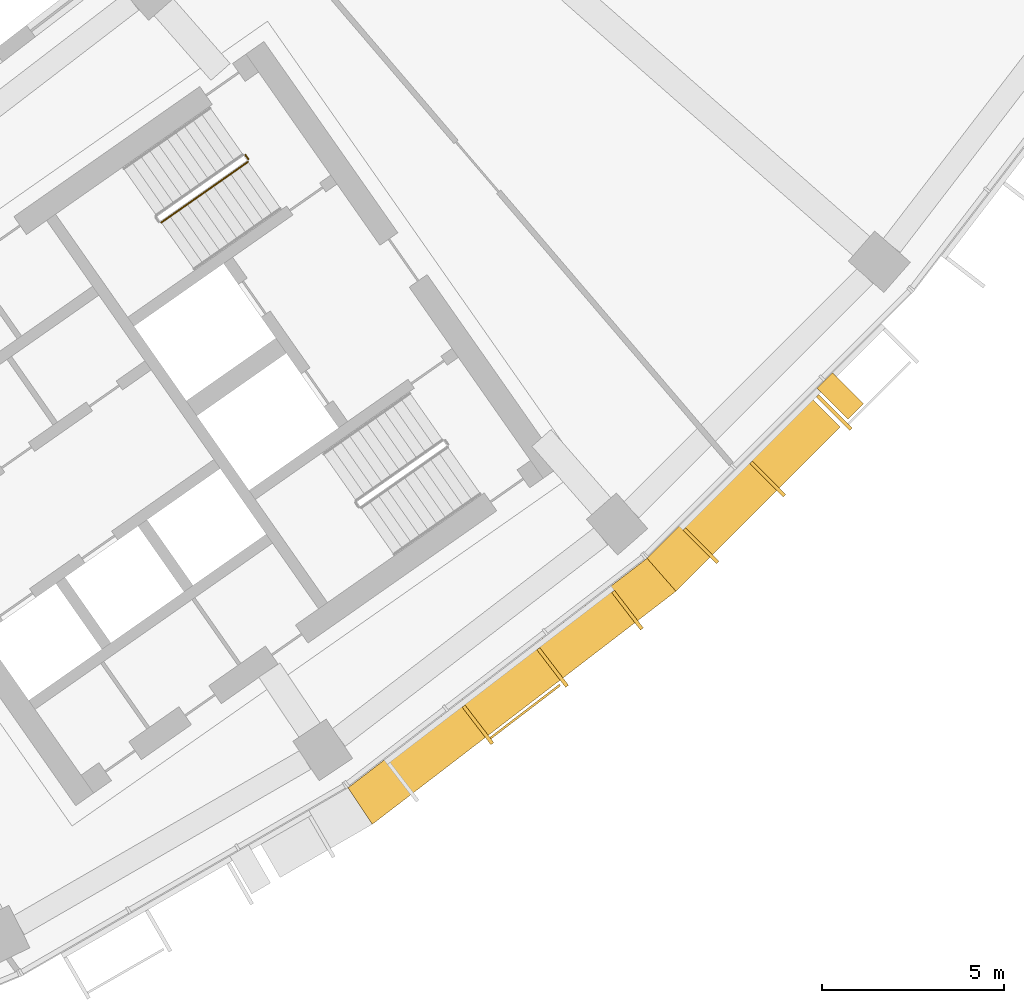
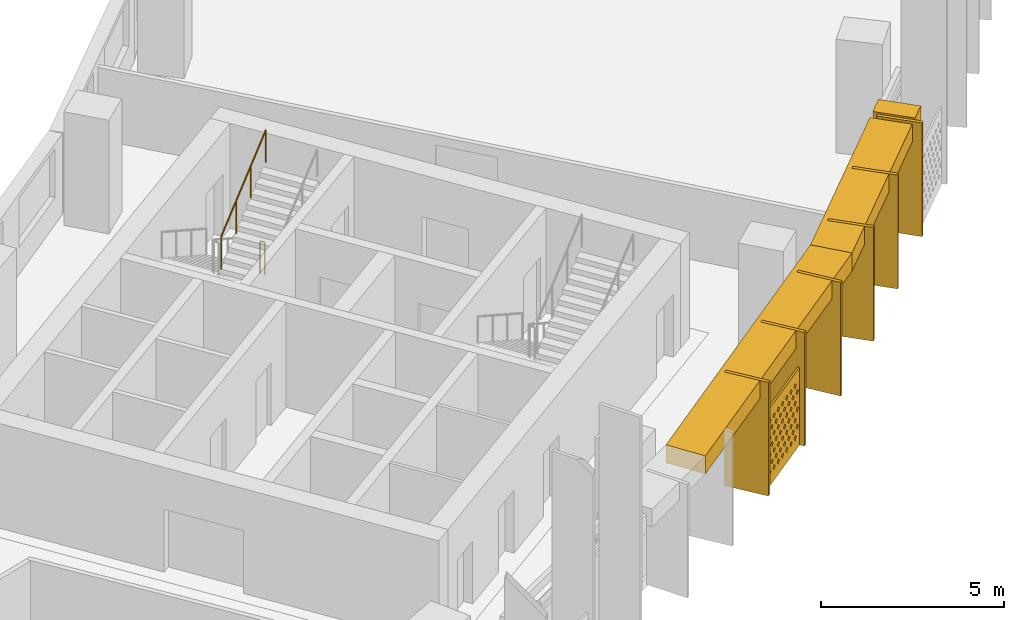
# One storey, part 26 of 27: 10 shading devices, 2 railings.
"""IFC4 building model written with IfcOpenShell, lengths in metres."""

import ifcopenshell
import ifcopenshell.guid

model = None  # the IFC model being written
_history = None  # IfcOwnerHistory: only IFC2X3 demands one
_inside = {}  # id of a spatial element -> (the spatial element, [elements in it])
_under = {}  # id of a project, library or spatial element -> (it, [spatial elements below it])
_declared = {}  # id of a project -> (the project, [libraries it declares])
_typed = {}  # id of a type object -> (the type object, [elements of that type])
_made_of = {}  # id of a material, layer set ... -> (it, [elements and type objects made of it])


def new_model(schema):
    """Start an empty IFC model of exactly this schema.

    Asked for "IFC4X3", IfcOpenShell would pick the latest addendum, in which some entities
    have other attributes; the version numbers below select the first issue.
    IFC2X3 requires an IfcOwnerHistory on every rooted entity: one is made here for all.
    """
    global model, _history
    if schema == "IFC4X3":
        model = ifcopenshell.file(schema_version=(4, 3, 0, 0))
    else:
        model = ifcopenshell.file(schema=schema)
    _inside.clear()
    _under.clear()
    _declared.clear()
    _typed.clear()
    _made_of.clear()
    _history = None
    if model.schema == "IFC2X3":
        org = make("IfcOrganization", Name="unknown")
        user = make(
            "IfcPersonAndOrganization",
            ThePerson=make("IfcPerson", FamilyName="unknown"),
            TheOrganization=org,
        )
        app = make(
            "IfcApplication",
            ApplicationDeveloper=org,
            Version="unknown",
            ApplicationFullName="unknown",
            ApplicationIdentifier="unknown",
        )
        _history = make(
            "IfcOwnerHistory",
            OwningUser=user,
            OwningApplication=app,
            ChangeAction="ADDED",
            CreationDate=0,
        )
    return model


def make(cls, **values):
    """One entity of the class cls with the attributes given. An attribute that is None is left unset."""
    return model.create_entity(
        cls, **{name: value for name, value in values.items() if value is not None}
    )


def rooted(cls, **values):
    """An entity with a GlobalId (a new one), such as an element, a storey or a relation."""
    return make(cls, GlobalId=ifcopenshell.guid.new(), OwnerHistory=_history, **values)


def si_unit(unit_type, name, prefix=None):
    """IfcSIUnit, for example si_unit("LENGTHUNIT", "METRE", prefix="MILLI")."""
    return make("IfcSIUnit", UnitType=unit_type, Prefix=prefix, Name=name)


def assignment(units):
    """IfcUnitAssignment: the units of a project."""
    return None if units is None else make("IfcUnitAssignment", Units=units)


def point(xyz):
    """IfcCartesianPoint."""
    return None if xyz is None else make("IfcCartesianPoint", Coordinates=xyz)


def direction(xyz):
    """IfcDirection."""
    return None if xyz is None else make("IfcDirection", DirectionRatios=xyz)


def frame(location, z_axis=None, x_axis=None):
    """IfcAxis2Placement3D, a coordinate frame: its origin and axes. An axis left out is left unset."""
    return make(
        "IfcAxis2Placement3D",
        Location=point(location),
        Axis=direction(z_axis),
        RefDirection=direction(x_axis),
    )


def frame_2d(location, x_axis=None):
    """IfcAxis2Placement2D, a coordinate frame in the plane: its origin and x axis."""
    return make(
        "IfcAxis2Placement2D", Location=point(location), RefDirection=direction(x_axis)
    )


def origin():
    """The frame at (0, 0, 0) with its axes left unset."""
    return frame((0.0, 0.0, 0.0))


def origin_2d():
    """The frame at (0, 0) in the plane with its x axis left unset."""
    return frame_2d((0.0, 0.0))


def place(relative_to, where):
    """IfcLocalPlacement: puts the frame where relative to a parent placement (None: the world)."""
    return make(
        "IfcLocalPlacement", PlacementRelTo=relative_to, RelativePlacement=where
    )


def context(
    kind, dimensions, precision=None, world=None, true_north=None, identifier=None
):
    """IfcGeometricRepresentationContext, for example the 3D "Model" context."""
    return make(
        "IfcGeometricRepresentationContext",
        ContextIdentifier=identifier,
        ContextType=kind,
        CoordinateSpaceDimension=dimensions,
        Precision=precision,
        WorldCoordinateSystem=world,
        TrueNorth=true_north,
    )


def subcontext(parent, identifier, kind, view, scale=None):
    """IfcGeometricRepresentationSubContext, for example "Body" below "Model"."""
    return make(
        "IfcGeometricRepresentationSubContext",
        ContextIdentifier=identifier,
        ContextType=kind,
        ParentContext=parent,
        TargetScale=scale,
        TargetView=view,
    )


def project(units=None, contexts=None):
    """IfcProject with its units and contexts."""
    return rooted(
        "IfcProject",
        Name="project",
        RepresentationContexts=contexts,
        UnitsInContext=assignment(units),
    )


def spatial(cls, under=None, at=None, **own):
    """A site, building, storey or space (cls), placed at a placement, below another one or the project."""
    s = rooted(cls, ObjectPlacement=at, **own)
    if under is not None:
        _under.setdefault(under.id(), (under, []))[1].append(s)
    return s


def polyline(points):
    """IfcPolyline through the points."""
    return make("IfcPolyline", Points=[point(p) for p in points])


def profile(cls, at=None, kind="AREA", **sizes):
    """A parametric profile (cls). Its sizes go by their IFC names, for example OverallWidth=200.0."""
    return make(cls, ProfileType=kind, Position=at, **sizes)


def rectangle(**sizes):
    """IfcRectangleProfileDef."""
    return profile("IfcRectangleProfileDef", **sizes)


def circle(**sizes):
    """IfcCircleProfileDef."""
    return profile("IfcCircleProfileDef", **sizes)


def outline(outer, holes=None, kind="AREA"):
    """IfcArbitraryClosedProfileDef: a profile drawn as a closed curve; with holes, ...WithVoids."""
    if holes is None:
        return make("IfcArbitraryClosedProfileDef", ProfileType=kind, OuterCurve=outer)
    return make(
        "IfcArbitraryProfileDefWithVoids",
        ProfileType=kind,
        OuterCurve=outer,
        InnerCurves=holes,
    )


def extrude(swept, where, along, depth):
    """IfcExtrudedAreaSolid: the profile swept, set in the frame where, extruded along a direction by depth."""
    return make(
        "IfcExtrudedAreaSolid",
        SweptArea=swept,
        Position=where,
        ExtrudedDirection=direction(along),
        Depth=depth,
    )


def shape(context_of_items, identifier, shape_type, items):
    """IfcShapeRepresentation: the items that make up one representation, for example the "Body"."""
    return make(
        "IfcShapeRepresentation",
        ContextOfItems=context_of_items,
        RepresentationIdentifier=identifier,
        RepresentationType=shape_type,
        Items=items,
    )


def material(Name=None, Category=None):
    """IfcMaterial."""
    return make("IfcMaterial", Name=Name, Category=Category)


def material_profile(
    of_material, cross_section, Name=None, Category=None, Priority=None
):
    """IfcMaterialProfile: a cross section and its material."""
    return make(
        "IfcMaterialProfile",
        Name=Name,
        Material=of_material,
        Profile=cross_section,
        Priority=Priority,
        Category=Category,
    )


def profile_set(profiles, Name=None, composite=None):
    """IfcMaterialProfileSet."""
    return make(
        "IfcMaterialProfileSet",
        Name=Name,
        MaterialProfiles=profiles,
        CompositeProfile=composite,
    )


def made_of(thing, what):
    """Note that an element or type object is made of a material, layer set ...; save() writes the relation."""
    if what is not None:
        _made_of.setdefault(what.id(), (what, []))[1].append(thing)
    return thing


def type_object(cls, material=None, **own):
    """A type object (cls), such as IfcWallType, which elements share."""
    return made_of(rooted(cls, **own), material)


def element(
    cls,
    number,
    at=None,
    inside=None,
    cuts=None,
    type_object=None,
    material=None,
    context=None,
    identifier="Body",
    shape_type=None,
    held_by="IfcProductDefinitionShape",
    body=None,
    shapes=None,
    **own,
):
    """One element of the class cls, such as IfcWall. Its Tag is "e" and its number.

    at: its placement. inside: the storey or other place that contains it. cuts: it is an
    opening in that element (IfcRelVoidsElement). A single representation is given by context,
    identifier, shape_type and body (its items); several are given by shapes. held_by: the class
    of the entity that holds the representations. save() writes the other relations.
    """
    e = rooted(cls, Tag="e%d" % number, ObjectPlacement=at, **own)
    if body is not None:
        shapes = [shape(context, identifier, shape_type, body)]
    if shapes is not None:
        e.Representation = make(held_by, Representations=shapes)
    if inside is not None:
        _inside.setdefault(inside.id(), (inside, []))[1].append(e)
    if cuts is not None:
        rooted(
            "IfcRelVoidsElement", RelatingBuildingElement=cuts, RelatedOpeningElement=e
        )
    if type_object is not None:
        _typed.setdefault(type_object.id(), (type_object, []))[1].append(e)
    return made_of(e, material)


def aggregate(whole, parts):
    """IfcRelAggregates: a whole, such as a stair, and the parts it consists of."""
    return rooted("IfcRelAggregates", RelatingObject=whole, RelatedObjects=parts)


def save(model, path):
    """Write the relations noted so far, then the file.

    IfcRelAggregates (storeys below a building ...), IfcRelContainedInSpatialStructure (elements
    in a storey), IfcRelDefinesByType, IfcRelAssociatesMaterial and IfcRelDeclares: one each for
    every whole, place, type object, material and project.
    """
    for whole, parts in _under.values():
        aggregate(whole, parts)
    for where, things in _inside.values():
        rooted(
            "IfcRelContainedInSpatialStructure",
            RelatedElements=things,
            RelatingStructure=where,
        )
    for kind, things in _typed.values():
        rooted("IfcRelDefinesByType", RelatedObjects=things, RelatingType=kind)
    for what, things in _made_of.values():
        rooted("IfcRelAssociatesMaterial", RelatedObjects=things, RelatingMaterial=what)
    for by, libraries in _declared.values():
        rooted("IfcRelDeclares", RelatingContext=by, RelatedDefinitions=libraries)
    model.write(path)


model = new_model("IFC4")

# Units and contexts
model_context = context("Model", 3, precision=1e-05, world=origin(), true_north=direction((0.0, 1.0)))
body_context = subcontext(model_context, "Body", "Model", "MODEL_VIEW")
ifc_project = project(units=[si_unit("LENGTHUNIT", "METRE"), si_unit("AREAUNIT", "SQUARE_METRE"), si_unit("VOLUMEUNIT", "CUBIC_METRE"), si_unit("PLANEANGLEUNIT", "RADIAN"), si_unit("MASSUNIT", "GRAM", prefix="KILO")], contexts=[model_context])

# Site, building, storey
site_placement = place(None, origin())
site = spatial("IfcSite", under=ifc_project, at=site_placement, CompositionType="ELEMENT")
building_placement = place(site_placement, origin())
building = spatial("IfcBuilding", under=site, at=building_placement, Name="Qamariyya Broadcast Tower", CompositionType="ELEMENT")
storey_placement = place(building_placement, frame((0.0, 0.0, 172.10009765625)))
storey = spatial("IfcBuildingStorey", under=building, at=storey_placement, Name="L40", CompositionType="ELEMENT", Elevation=172.10009765625)

# Shading devices
ifc_material_1 = material(Name="Steel S355 powder coated deep red", Category="steel")
shading_device_type_1 = type_object("IfcShadingDeviceType", Name="Deep red frame, powder coated steel box section", PredefinedType="USERDEFINED", material=ifc_material_1)
shading_device_1_placement = place(storey_placement, frame((0.0, 0.0, 3.199951171875)))
element("IfcShadingDevice", 1, at=shading_device_1_placement, inside=storey, type_object=shading_device_type_1, Name="e-frm-B3-F5-postb-L40", ObjectType="FRAME", PredefinedType="USERDEFINED", context=body_context, shape_type="SweptSolid", body=[
    extrude(outline(polyline([(56.74755859375, -54.736083984375), (57.595947265625, -55.584716796875), (58.020263671875, -55.160400390625), (57.171875, -54.311767578125), (56.74755859375, -54.736083984375)])), origin(), (0.0, 0.0, 1.0), 0.599853515625),
])
shading_device_2_placement = place(storey_placement, frame((0.0, 0.0, 3.199951171875)))
element("IfcShadingDevice", 2, at=shading_device_2_placement, inside=storey, type_object=shading_device_type_1, Name="e-frm-B3-F5-bot1", ObjectType="FRAME", PredefinedType="USERDEFINED", context=body_context, shape_type="SweptSolid", body=[
    extrude(outline(polyline([(43.89013671875, -65.68603515625), (44.55810546875, -66.68603515625), (52.88134765625, -60.299560546875), (52.08837890625, -59.395263671875), (43.89013671875, -65.68603515625)])), origin(), (0.0, 0.0, 1.0), 0.599853515625),
])
shading_device_3_placement = place(storey_placement, frame((0.0, 0.0, 3.199951171875)))
element("IfcShadingDevice", 3, at=shading_device_3_placement, inside=storey, type_object=shading_device_type_1, Name="e-frm-B3-F5-bot2", ObjectType="FRAME", PredefinedType="USERDEFINED", context=body_context, shape_type="SweptSolid", body=[
    extrude(outline(polyline([(52.08837890625, -59.395263671875), (52.88134765625, -60.299560546875), (57.384033203125, -55.796875), (56.535400390625, -54.9482421875), (52.08837890625, -59.395263671875)])), origin(), (0.0, 0.0, 1.0), 0.599853515625),
])
ifc_material_2 = material(Name="Perforated glazed terracotta", Category="masonry")
ifc_material_profile_1 = material_profile(ifc_material_2, outline(polyline([(-1.199951171875, -1.300048828125), (1.199951171875, -1.300048828125), (1.199951171875, 1.300048828125), (-1.199951171875, 1.300048828125), (-1.199951171875, -1.300048828125)]), holes=[polyline([(-0.81494140625, -0.86669921875), (-0.89990234375, -0.78173828125), (-0.985107421875, -0.86669921875), (-0.89990234375, -0.95166015625), (-0.81494140625, -0.86669921875)]), polyline([(-0.514892578125, -0.86669921875), (-0.60009765625, -0.78173828125), (-0.68505859375, -0.86669921875), (-0.60009765625, -0.95166015625), (-0.514892578125, -0.86669921875)]), polyline([(-0.215087890625, -0.86669921875), (-0.300048828125, -0.78173828125), (-0.385009765625, -0.86669921875), (-0.300048828125, -0.95166015625), (-0.215087890625, -0.86669921875)]), polyline([(0.0849609375, -0.86669921875), (0.0, -0.78173828125), (-0.0849609375, -0.86669921875), (0.0, -0.95166015625), (0.0849609375, -0.86669921875)]), polyline([(0.385009765625, -0.86669921875), (0.300048828125, -0.78173828125), (0.215087890625, -0.86669921875), (0.300048828125, -0.95166015625), (0.385009765625, -0.86669921875)]), polyline([(0.68505859375, -0.86669921875), (0.60009765625, -0.78173828125), (0.514892578125, -0.86669921875), (0.60009765625, -0.95166015625), (0.68505859375, -0.86669921875)]), polyline([(0.985107421875, -0.86669921875), (0.89990234375, -0.78173828125), (0.81494140625, -0.86669921875), (0.89990234375, -0.95166015625), (0.985107421875, -0.86669921875)]), polyline([(-0.965087890625, -0.577880859375), (-1.050048828125, -0.49267578125), (-1.135009765625, -0.577880859375), (-1.050048828125, -0.662841796875), (-0.965087890625, -0.577880859375)]), polyline([(-0.6650390625, -0.577880859375), (-0.75, -0.49267578125), (-0.8349609375, -0.577880859375), (-0.75, -0.662841796875), (-0.6650390625, -0.577880859375)]), polyline([(-0.364990234375, -0.577880859375), (-0.449951171875, -0.49267578125), (-0.534912109375, -0.577880859375), (-0.449951171875, -0.662841796875), (-0.364990234375, -0.577880859375)]), polyline([(-0.06494140625, -0.577880859375), (-0.14990234375, -0.49267578125), (-0.235107421875, -0.577880859375), (-0.14990234375, -0.662841796875), (-0.06494140625, -0.577880859375)]), polyline([(0.235107421875, -0.577880859375), (0.14990234375, -0.49267578125), (0.06494140625, -0.577880859375), (0.14990234375, -0.662841796875), (0.235107421875, -0.577880859375)]), polyline([(0.534912109375, -0.577880859375), (0.449951171875, -0.49267578125), (0.364990234375, -0.577880859375), (0.449951171875, -0.662841796875), (0.534912109375, -0.577880859375)]), polyline([(0.8349609375, -0.577880859375), (0.75, -0.49267578125), (0.6650390625, -0.577880859375), (0.75, -0.662841796875), (0.8349609375, -0.577880859375)]), polyline([(1.135009765625, -0.577880859375), (1.050048828125, -0.49267578125), (0.965087890625, -0.577880859375), (1.050048828125, -0.662841796875), (1.135009765625, -0.577880859375)]), polyline([(-0.81494140625, -0.288818359375), (-0.89990234375, -0.203857421875), (-0.985107421875, -0.288818359375), (-0.89990234375, -0.373779296875), (-0.81494140625, -0.288818359375)]), polyline([(-0.514892578125, -0.288818359375), (-0.60009765625, -0.203857421875), (-0.68505859375, -0.288818359375), (-0.60009765625, -0.373779296875), (-0.514892578125, -0.288818359375)]), polyline([(-0.215087890625, -0.288818359375), (-0.300048828125, -0.203857421875), (-0.385009765625, -0.288818359375), (-0.300048828125, -0.373779296875), (-0.215087890625, -0.288818359375)]), polyline([(0.0849609375, -0.288818359375), (0.0, -0.203857421875), (-0.0849609375, -0.288818359375), (0.0, -0.373779296875), (0.0849609375, -0.288818359375)]), polyline([(0.385009765625, -0.288818359375), (0.300048828125, -0.203857421875), (0.215087890625, -0.288818359375), (0.300048828125, -0.373779296875), (0.385009765625, -0.288818359375)]), polyline([(0.68505859375, -0.288818359375), (0.60009765625, -0.203857421875), (0.514892578125, -0.288818359375), (0.60009765625, -0.373779296875), (0.68505859375, -0.288818359375)]), polyline([(0.985107421875, -0.288818359375), (0.89990234375, -0.203857421875), (0.81494140625, -0.288818359375), (0.89990234375, -0.373779296875), (0.985107421875, -0.288818359375)]), polyline([(-0.965087890625, 0.0), (-1.050048828125, 0.0849609375), (-1.135009765625, 0.0), (-1.050048828125, -0.0849609375), (-0.965087890625, 0.0)]), polyline([(-0.6650390625, 0.0), (-0.75, 0.0849609375), (-0.8349609375, 0.0), (-0.75, -0.0849609375), (-0.6650390625, 0.0)]), polyline([(-0.364990234375, 0.0), (-0.449951171875, 0.0849609375), (-0.534912109375, 0.0), (-0.449951171875, -0.0849609375), (-0.364990234375, 0.0)]), polyline([(-0.06494140625, 0.0), (-0.14990234375, 0.0849609375), (-0.235107421875, 0.0), (-0.14990234375, -0.0849609375), (-0.06494140625, 0.0)]), polyline([(0.235107421875, 0.0), (0.14990234375, 0.0849609375), (0.06494140625, 0.0), (0.14990234375, -0.0849609375), (0.235107421875, 0.0)]), polyline([(0.534912109375, 0.0), (0.449951171875, 0.0849609375), (0.364990234375, 0.0), (0.449951171875, -0.0849609375), (0.534912109375, 0.0)]), polyline([(0.8349609375, 0.0), (0.75, 0.0849609375), (0.6650390625, 0.0), (0.75, -0.0849609375), (0.8349609375, 0.0)]), polyline([(1.135009765625, 0.0), (1.050048828125, 0.0849609375), (0.965087890625, 0.0), (1.050048828125, -0.0849609375), (1.135009765625, 0.0)]), polyline([(-0.81494140625, 0.288818359375), (-0.89990234375, 0.373779296875), (-0.985107421875, 0.288818359375), (-0.89990234375, 0.203857421875), (-0.81494140625, 0.288818359375)]), polyline([(-0.514892578125, 0.288818359375), (-0.60009765625, 0.373779296875), (-0.68505859375, 0.288818359375), (-0.60009765625, 0.203857421875), (-0.514892578125, 0.288818359375)]), polyline([(-0.215087890625, 0.288818359375), (-0.300048828125, 0.373779296875), (-0.385009765625, 0.288818359375), (-0.300048828125, 0.203857421875), (-0.215087890625, 0.288818359375)]), polyline([(0.0849609375, 0.288818359375), (0.0, 0.373779296875), (-0.0849609375, 0.288818359375), (0.0, 0.203857421875), (0.0849609375, 0.288818359375)]), polyline([(0.385009765625, 0.288818359375), (0.300048828125, 0.373779296875), (0.215087890625, 0.288818359375), (0.300048828125, 0.203857421875), (0.385009765625, 0.288818359375)]), polyline([(0.68505859375, 0.288818359375), (0.60009765625, 0.373779296875), (0.514892578125, 0.288818359375), (0.60009765625, 0.203857421875), (0.68505859375, 0.288818359375)]), polyline([(0.985107421875, 0.288818359375), (0.89990234375, 0.373779296875), (0.81494140625, 0.288818359375), (0.89990234375, 0.203857421875), (0.985107421875, 0.288818359375)]), polyline([(-0.965087890625, 0.577880859375), (-1.050048828125, 0.662841796875), (-1.135009765625, 0.577880859375), (-1.050048828125, 0.49267578125), (-0.965087890625, 0.577880859375)]), polyline([(-0.6650390625, 0.577880859375), (-0.75, 0.662841796875), (-0.8349609375, 0.577880859375), (-0.75, 0.49267578125), (-0.6650390625, 0.577880859375)]), polyline([(-0.364990234375, 0.577880859375), (-0.449951171875, 0.662841796875), (-0.534912109375, 0.577880859375), (-0.449951171875, 0.49267578125), (-0.364990234375, 0.577880859375)]), polyline([(-0.06494140625, 0.577880859375), (-0.14990234375, 0.662841796875), (-0.235107421875, 0.577880859375), (-0.14990234375, 0.49267578125), (-0.06494140625, 0.577880859375)]), polyline([(0.235107421875, 0.577880859375), (0.14990234375, 0.662841796875), (0.06494140625, 0.577880859375), (0.14990234375, 0.49267578125), (0.235107421875, 0.577880859375)]), polyline([(0.534912109375, 0.577880859375), (0.449951171875, 0.662841796875), (0.364990234375, 0.577880859375), (0.449951171875, 0.49267578125), (0.534912109375, 0.577880859375)]), polyline([(0.8349609375, 0.577880859375), (0.75, 0.662841796875), (0.6650390625, 0.577880859375), (0.75, 0.49267578125), (0.8349609375, 0.577880859375)]), polyline([(1.135009765625, 0.577880859375), (1.050048828125, 0.662841796875), (0.965087890625, 0.577880859375), (1.050048828125, 0.49267578125), (1.135009765625, 0.577880859375)]), polyline([(-0.81494140625, 0.86669921875), (-0.89990234375, 0.95166015625), (-0.985107421875, 0.86669921875), (-0.89990234375, 0.78173828125), (-0.81494140625, 0.86669921875)]), polyline([(-0.514892578125, 0.86669921875), (-0.60009765625, 0.95166015625), (-0.68505859375, 0.86669921875), (-0.60009765625, 0.78173828125), (-0.514892578125, 0.86669921875)]), polyline([(-0.215087890625, 0.86669921875), (-0.300048828125, 0.95166015625), (-0.385009765625, 0.86669921875), (-0.300048828125, 0.78173828125), (-0.215087890625, 0.86669921875)]), polyline([(0.0849609375, 0.86669921875), (0.0, 0.95166015625), (-0.0849609375, 0.86669921875), (0.0, 0.78173828125), (0.0849609375, 0.86669921875)]), polyline([(0.385009765625, 0.86669921875), (0.300048828125, 0.95166015625), (0.215087890625, 0.86669921875), (0.300048828125, 0.78173828125), (0.385009765625, 0.86669921875)]), polyline([(0.68505859375, 0.86669921875), (0.60009765625, 0.95166015625), (0.514892578125, 0.86669921875), (0.60009765625, 0.78173828125), (0.68505859375, 0.86669921875)]), polyline([(0.985107421875, 0.86669921875), (0.89990234375, 0.95166015625), (0.81494140625, 0.86669921875), (0.89990234375, 0.78173828125), (0.985107421875, 0.86669921875)])]))
ifc_profile_set_1 = profile_set([ifc_material_profile_1], Name="Perforated glazed terracotta")
shading_device_type_2 = type_object("IfcShadingDeviceType", Name="Perforated terracotta screen 2400 x 2600", PredefinedType="USERDEFINED", material=ifc_profile_set_1)
shading_device_4_placement = place(storey_placement, frame((48.729248046875, -63.57373046875, 1.349853515625), z_axis=(0.607147566278, -0.794589096806, 0.0), x_axis=(0.794589096806, 0.607147566278, 0.0)))
element("IfcShadingDevice", 4, at=shading_device_4_placement, inside=storey, type_object=shading_device_type_2, Name="e-scr-L40-12-1", ObjectType="SCREEN", PredefinedType="USERDEFINED", context=body_context, shape_type="SweptSolid", body=[
    extrude(outline(polyline([(-1.199951171875, -1.300048828125), (1.199951171875, -1.300048828125), (1.199951171875, 1.300048828125), (-1.199951171875, 1.300048828125), (-1.199951171875, -1.300048828125)]), holes=[polyline([(-0.81494140625, -0.86669921875), (-0.89990234375, -0.78173828125), (-0.985107421875, -0.86669921875), (-0.89990234375, -0.95166015625), (-0.81494140625, -0.86669921875)]), polyline([(-0.514892578125, -0.86669921875), (-0.60009765625, -0.78173828125), (-0.68505859375, -0.86669921875), (-0.60009765625, -0.95166015625), (-0.514892578125, -0.86669921875)]), polyline([(-0.215087890625, -0.86669921875), (-0.300048828125, -0.78173828125), (-0.385009765625, -0.86669921875), (-0.300048828125, -0.95166015625), (-0.215087890625, -0.86669921875)]), polyline([(0.0849609375, -0.86669921875), (0.0, -0.78173828125), (-0.0849609375, -0.86669921875), (0.0, -0.95166015625), (0.0849609375, -0.86669921875)]), polyline([(0.385009765625, -0.86669921875), (0.300048828125, -0.78173828125), (0.215087890625, -0.86669921875), (0.300048828125, -0.95166015625), (0.385009765625, -0.86669921875)]), polyline([(0.68505859375, -0.86669921875), (0.60009765625, -0.78173828125), (0.514892578125, -0.86669921875), (0.60009765625, -0.95166015625), (0.68505859375, -0.86669921875)]), polyline([(0.985107421875, -0.86669921875), (0.89990234375, -0.78173828125), (0.81494140625, -0.86669921875), (0.89990234375, -0.95166015625), (0.985107421875, -0.86669921875)]), polyline([(-0.965087890625, -0.577880859375), (-1.050048828125, -0.49267578125), (-1.135009765625, -0.577880859375), (-1.050048828125, -0.662841796875), (-0.965087890625, -0.577880859375)]), polyline([(-0.6650390625, -0.577880859375), (-0.75, -0.49267578125), (-0.8349609375, -0.577880859375), (-0.75, -0.662841796875), (-0.6650390625, -0.577880859375)]), polyline([(-0.364990234375, -0.577880859375), (-0.449951171875, -0.49267578125), (-0.534912109375, -0.577880859375), (-0.449951171875, -0.662841796875), (-0.364990234375, -0.577880859375)]), polyline([(-0.06494140625, -0.577880859375), (-0.14990234375, -0.49267578125), (-0.235107421875, -0.577880859375), (-0.14990234375, -0.662841796875), (-0.06494140625, -0.577880859375)]), polyline([(0.235107421875, -0.577880859375), (0.14990234375, -0.49267578125), (0.06494140625, -0.577880859375), (0.14990234375, -0.662841796875), (0.235107421875, -0.577880859375)]), polyline([(0.534912109375, -0.577880859375), (0.449951171875, -0.49267578125), (0.364990234375, -0.577880859375), (0.449951171875, -0.662841796875), (0.534912109375, -0.577880859375)]), polyline([(0.8349609375, -0.577880859375), (0.75, -0.49267578125), (0.6650390625, -0.577880859375), (0.75, -0.662841796875), (0.8349609375, -0.577880859375)]), polyline([(1.135009765625, -0.577880859375), (1.050048828125, -0.49267578125), (0.965087890625, -0.577880859375), (1.050048828125, -0.662841796875), (1.135009765625, -0.577880859375)]), polyline([(-0.81494140625, -0.288818359375), (-0.89990234375, -0.203857421875), (-0.985107421875, -0.288818359375), (-0.89990234375, -0.373779296875), (-0.81494140625, -0.288818359375)]), polyline([(-0.514892578125, -0.288818359375), (-0.60009765625, -0.203857421875), (-0.68505859375, -0.288818359375), (-0.60009765625, -0.373779296875), (-0.514892578125, -0.288818359375)]), polyline([(-0.215087890625, -0.288818359375), (-0.300048828125, -0.203857421875), (-0.385009765625, -0.288818359375), (-0.300048828125, -0.373779296875), (-0.215087890625, -0.288818359375)]), polyline([(0.0849609375, -0.288818359375), (0.0, -0.203857421875), (-0.0849609375, -0.288818359375), (0.0, -0.373779296875), (0.0849609375, -0.288818359375)]), polyline([(0.385009765625, -0.288818359375), (0.300048828125, -0.203857421875), (0.215087890625, -0.288818359375), (0.300048828125, -0.373779296875), (0.385009765625, -0.288818359375)]), polyline([(0.68505859375, -0.288818359375), (0.60009765625, -0.203857421875), (0.514892578125, -0.288818359375), (0.60009765625, -0.373779296875), (0.68505859375, -0.288818359375)]), polyline([(0.985107421875, -0.288818359375), (0.89990234375, -0.203857421875), (0.81494140625, -0.288818359375), (0.89990234375, -0.373779296875), (0.985107421875, -0.288818359375)]), polyline([(-0.965087890625, 0.0), (-1.050048828125, 0.0849609375), (-1.135009765625, 0.0), (-1.050048828125, -0.0849609375), (-0.965087890625, 0.0)]), polyline([(-0.6650390625, 0.0), (-0.75, 0.0849609375), (-0.8349609375, 0.0), (-0.75, -0.0849609375), (-0.6650390625, 0.0)]), polyline([(-0.364990234375, 0.0), (-0.449951171875, 0.0849609375), (-0.534912109375, 0.0), (-0.449951171875, -0.0849609375), (-0.364990234375, 0.0)]), polyline([(-0.06494140625, 0.0), (-0.14990234375, 0.0849609375), (-0.235107421875, 0.0), (-0.14990234375, -0.0849609375), (-0.06494140625, 0.0)]), polyline([(0.235107421875, 0.0), (0.14990234375, 0.0849609375), (0.06494140625, 0.0), (0.14990234375, -0.0849609375), (0.235107421875, 0.0)]), polyline([(0.534912109375, 0.0), (0.449951171875, 0.0849609375), (0.364990234375, 0.0), (0.449951171875, -0.0849609375), (0.534912109375, 0.0)]), polyline([(0.8349609375, 0.0), (0.75, 0.0849609375), (0.6650390625, 0.0), (0.75, -0.0849609375), (0.8349609375, 0.0)]), polyline([(1.135009765625, 0.0), (1.050048828125, 0.0849609375), (0.965087890625, 0.0), (1.050048828125, -0.0849609375), (1.135009765625, 0.0)]), polyline([(-0.81494140625, 0.288818359375), (-0.89990234375, 0.373779296875), (-0.985107421875, 0.288818359375), (-0.89990234375, 0.203857421875), (-0.81494140625, 0.288818359375)]), polyline([(-0.514892578125, 0.288818359375), (-0.60009765625, 0.373779296875), (-0.68505859375, 0.288818359375), (-0.60009765625, 0.203857421875), (-0.514892578125, 0.288818359375)]), polyline([(-0.215087890625, 0.288818359375), (-0.300048828125, 0.373779296875), (-0.385009765625, 0.288818359375), (-0.300048828125, 0.203857421875), (-0.215087890625, 0.288818359375)]), polyline([(0.0849609375, 0.288818359375), (0.0, 0.373779296875), (-0.0849609375, 0.288818359375), (0.0, 0.203857421875), (0.0849609375, 0.288818359375)]), polyline([(0.385009765625, 0.288818359375), (0.300048828125, 0.373779296875), (0.215087890625, 0.288818359375), (0.300048828125, 0.203857421875), (0.385009765625, 0.288818359375)]), polyline([(0.68505859375, 0.288818359375), (0.60009765625, 0.373779296875), (0.514892578125, 0.288818359375), (0.60009765625, 0.203857421875), (0.68505859375, 0.288818359375)]), polyline([(0.985107421875, 0.288818359375), (0.89990234375, 0.373779296875), (0.81494140625, 0.288818359375), (0.89990234375, 0.203857421875), (0.985107421875, 0.288818359375)]), polyline([(-0.965087890625, 0.577880859375), (-1.050048828125, 0.662841796875), (-1.135009765625, 0.577880859375), (-1.050048828125, 0.49267578125), (-0.965087890625, 0.577880859375)]), polyline([(-0.6650390625, 0.577880859375), (-0.75, 0.662841796875), (-0.8349609375, 0.577880859375), (-0.75, 0.49267578125), (-0.6650390625, 0.577880859375)]), polyline([(-0.364990234375, 0.577880859375), (-0.449951171875, 0.662841796875), (-0.534912109375, 0.577880859375), (-0.449951171875, 0.49267578125), (-0.364990234375, 0.577880859375)]), polyline([(-0.06494140625, 0.577880859375), (-0.14990234375, 0.662841796875), (-0.235107421875, 0.577880859375), (-0.14990234375, 0.49267578125), (-0.06494140625, 0.577880859375)]), polyline([(0.235107421875, 0.577880859375), (0.14990234375, 0.662841796875), (0.06494140625, 0.577880859375), (0.14990234375, 0.49267578125), (0.235107421875, 0.577880859375)]), polyline([(0.534912109375, 0.577880859375), (0.449951171875, 0.662841796875), (0.364990234375, 0.577880859375), (0.449951171875, 0.49267578125), (0.534912109375, 0.577880859375)]), polyline([(0.8349609375, 0.577880859375), (0.75, 0.662841796875), (0.6650390625, 0.577880859375), (0.75, 0.49267578125), (0.8349609375, 0.577880859375)]), polyline([(1.135009765625, 0.577880859375), (1.050048828125, 0.662841796875), (0.965087890625, 0.577880859375), (1.050048828125, 0.49267578125), (1.135009765625, 0.577880859375)]), polyline([(-0.81494140625, 0.86669921875), (-0.89990234375, 0.95166015625), (-0.985107421875, 0.86669921875), (-0.89990234375, 0.78173828125), (-0.81494140625, 0.86669921875)]), polyline([(-0.514892578125, 0.86669921875), (-0.60009765625, 0.95166015625), (-0.68505859375, 0.86669921875), (-0.60009765625, 0.78173828125), (-0.514892578125, 0.86669921875)]), polyline([(-0.215087890625, 0.86669921875), (-0.300048828125, 0.95166015625), (-0.385009765625, 0.86669921875), (-0.300048828125, 0.78173828125), (-0.215087890625, 0.86669921875)]), polyline([(0.0849609375, 0.86669921875), (0.0, 0.95166015625), (-0.0849609375, 0.86669921875), (0.0, 0.78173828125), (0.0849609375, 0.86669921875)]), polyline([(0.385009765625, 0.86669921875), (0.300048828125, 0.95166015625), (0.215087890625, 0.86669921875), (0.300048828125, 0.78173828125), (0.385009765625, 0.86669921875)]), polyline([(0.68505859375, 0.86669921875), (0.60009765625, 0.95166015625), (0.514892578125, 0.86669921875), (0.60009765625, 0.78173828125), (0.68505859375, 0.86669921875)]), polyline([(0.985107421875, 0.86669921875), (0.89990234375, 0.95166015625), (0.81494140625, 0.86669921875), (0.89990234375, 0.78173828125), (0.985107421875, 0.86669921875)])]), origin(), (0.0, 0.0, 1.0), 0.059814453125),
])

# Railings
ifc_material_3 = material(Name="Painted steel", Category="steel")
railing_type = type_object("IfcRailingType", Name="Stair guard", PredefinedType="GUARDRAIL", material=ifc_material_3)
railing_1_placement = place(storey_placement, frame((38.771240234375, -50.188232421875, 2.072509765625)))
element("IfcRailing", 5, at=railing_1_placement, inside=storey, type_object=railing_type, Name="L40 ST-E2 stair guard 2", PredefinedType="GUARDRAIL", context=body_context, shape_type="SweptSolid", body=[
    extrude(circle(Radius=0.02392578125, at=origin_2d()), frame((0.0, 0.0, 1.076171875), z_axis=(0.703770094002, 0.492783725636, 0.511734163933), x_axis=(-0.573575343427, 0.819152809562, 0.0)), (0.0, 0.0, 1.0), 3.37548828125),
    extrude(circle(Radius=0.02099609375, at=origin_2d()), origin(), (0.0, 0.0, 1.0), 1.052001953125),
    extrude(circle(Radius=0.02099609375, at=origin_2d()), frame((0.791748046875, 0.554443359375, 0.57568359375)), (0.0, 0.0, 1.0), 1.052001953125),
    extrude(circle(Radius=0.02099609375, at=origin_2d()), frame((1.583740234375, 1.10888671875, 1.151611328125)), (0.0, 0.0, 1.0), 1.052001953125),
    extrude(circle(Radius=0.02099609375, at=origin_2d()), frame((2.37548828125, 1.663330078125, 1.727294921875)), (0.0, 0.0, 1.0), 1.052001953125),
])
railing_2_placement = place(storey_placement, frame((41.072998046875, -48.332275390625, 0.0)))
element("IfcRailing", 6, at=railing_2_placement, inside=storey, type_object=railing_type, Name="L40 ST-E2 stair guard 3", PredefinedType="GUARDRAIL", context=body_context, shape_type="SweptSolid", body=[
    extrude(circle(Radius=0.02392578125, at=origin_2d()), frame((0.0, 0.0, 1.076171875), z_axis=(0.572588637393, -0.819842821722, 0.0), x_axis=(0.819842821722, 0.572588637393, 0.0)), (0.0, 0.0, 1.0), 0.150146484375),
    extrude(circle(Radius=0.02099609375, at=origin_2d()), origin(), (0.0, 0.0, 1.0), 1.052001953125),
    extrude(circle(Radius=0.02099609375, at=origin_2d()), frame((0.0859375, -0.123046875, 0.0)), (0.0, 0.0, 1.0), 1.052001953125),
])

# Shading devices
ifc_material_4 = material(Name="Glazed terracotta", Category="masonry")
ifc_material_profile_2 = material_profile(ifc_material_4, rectangle(XDim=1.300048828125, YDim=0.10009765625, at=origin_2d()))
ifc_profile_set_2 = profile_set([ifc_material_profile_2], Name="Glazed terracotta")
shading_device_type_3 = type_object("IfcShadingDeviceType", Name="Terracotta fin 100 x 1300", PredefinedType="USERDEFINED", material=ifc_profile_set_2)
for number, where, z_axis, x_axis, name in (
    (7, (47.451416015625, -63.961669921875, 0.0), (0.0, 0.0, 1.0), (0.608761429009, -0.793353340291, 0.0), "e-fin-L40-12-1"),
    (8, (49.5009765625, -62.38916015625, 0.0), (0.0, 0.0, 1.0), (0.608761429009, -0.793353340291, 0.0), "e-fin-L40-12-2"),
    (9, (51.550537109375, -60.81640625, 0.0), (0.0, 0.0, 1.0), (0.608761429009, -0.793353340291, 0.0), "e-fin-L40-12-3"),
    (10, (53.5673828125, -59.047607421875, 0.0), (0.0, 0.0, 1.0), (0.707106781187, -0.707106781187, 0.0), "e-fin-L40-13-0"),
    (11, (55.39404296875, -57.220947265625, 0.0), (0.0, 0.0, 1.0), (0.707106781187, -0.707106781187, 0.0), "e-fin-L40-13-1"),
    (12, (57.220947265625, -55.39404296875, 0.0), (0.0, 0.0, 1.0), (0.707106781187, -0.707106781187, 0.0), "e-fin-L40-13-2"),
):
    element("IfcShadingDevice", number, at=place(storey_placement, frame(where, z_axis=z_axis, x_axis=x_axis)), inside=storey, type_object=shading_device_type_3, Name=name, ObjectType="FIN", PredefinedType="USERDEFINED", context=body_context, shape_type="SweptSolid", body=[
        extrude(rectangle(XDim=1.300048828125, YDim=0.10009765625, at=origin_2d()), origin(), (0.0, 0.0, 1.0), 3.7998046875),
    ])

save(model, "model.ifc")
